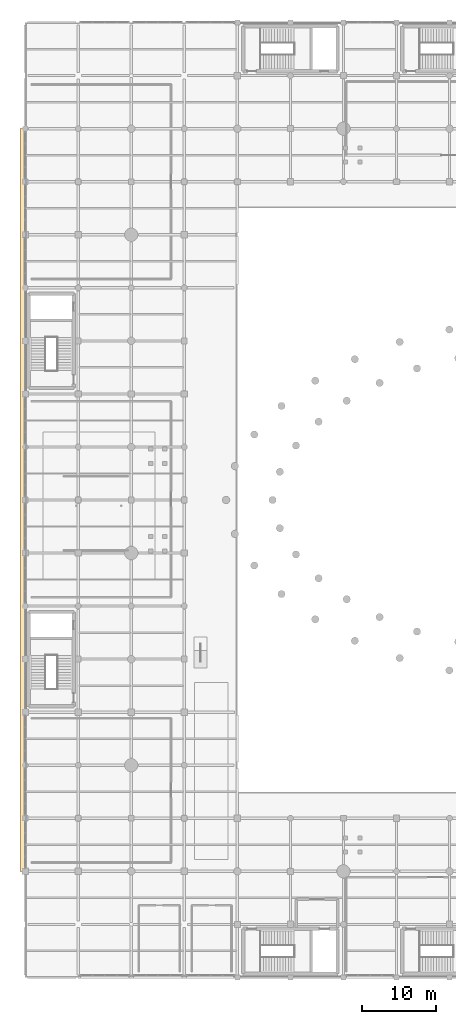
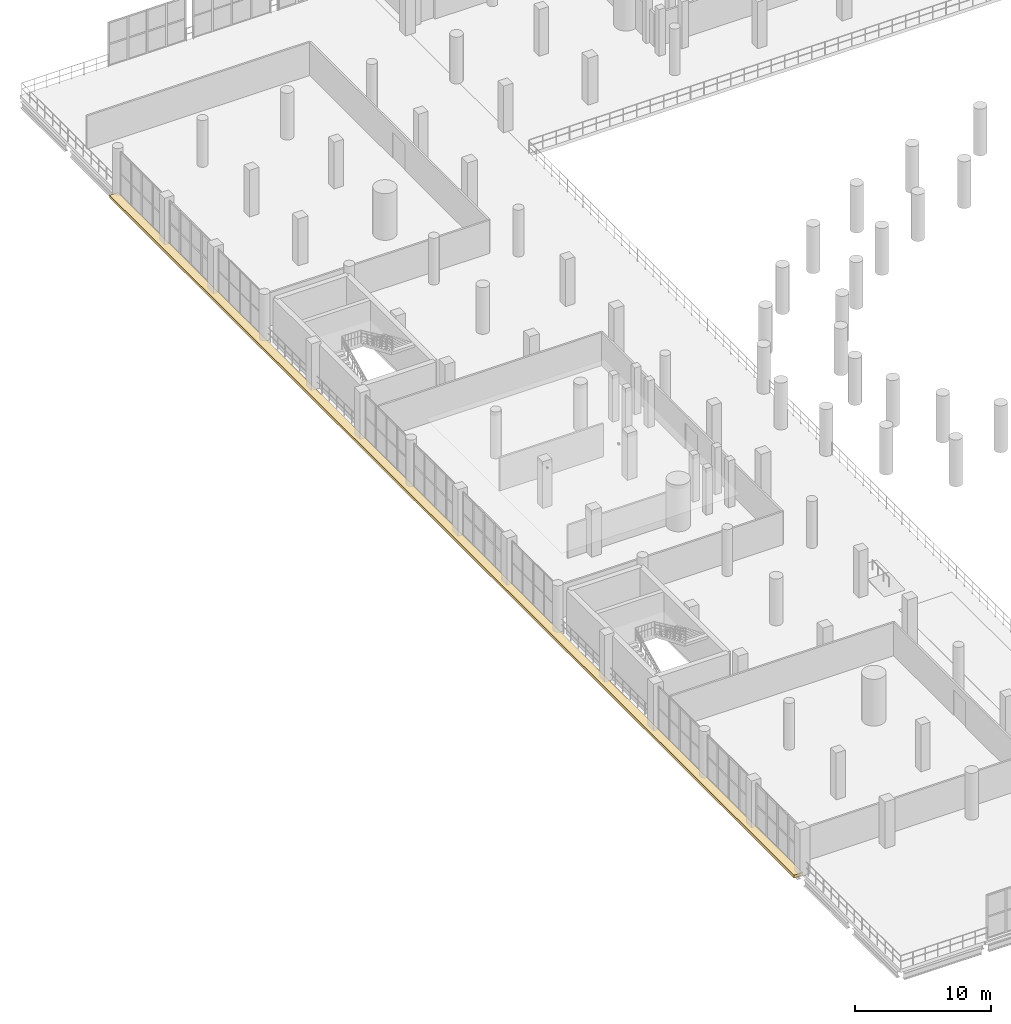
# One storey, part 146 of 153: 1 covering.
"""IFC4 building model written with IfcOpenShell, lengths in metres."""

from ifc_helpers import new_model, si_unit, direction, frame, origin, origin_2d, place, context, subcontext, project, spatial, rectangle, extrude, material, layer, layer_set, type_object, element, save


model = new_model("IFC4")

# Units and contexts
model_context = context("Model", 3, precision=1e-05, world=origin(), true_north=direction((0.0, 1.0)))
body_context = subcontext(model_context, "Body", "Model", "MODEL_VIEW")
ifc_project = project(units=[si_unit("LENGTHUNIT", "METRE"), si_unit("AREAUNIT", "SQUARE_METRE"), si_unit("VOLUMEUNIT", "CUBIC_METRE"), si_unit("PLANEANGLEUNIT", "RADIAN"), si_unit("MASSUNIT", "GRAM", prefix="KILO")], contexts=[model_context])

# Site, building, storey
site_placement = place(None, origin())
site = spatial("IfcSite", under=ifc_project, at=site_placement, CompositionType="ELEMENT")
building_placement = place(site_placement, origin())
building = spatial("IfcBuilding", under=site, at=building_placement, Name="Qandorah Velis Arena", CompositionType="ELEMENT")
storey_placement = place(building_placement, frame((0.0, 0.0, 5.39990234375)))
storey = spatial("IfcBuildingStorey", under=building, at=storey_placement, Name="L01", CompositionType="ELEMENT", Elevation=5.39990234375)

# Covering
ifc_material = material(Name="Precast Riyadh limestone cladding", Category="masonry")
ifc_layer = layer(ifc_material, 0.054931640625)
ifc_layer_set = layer_set([ifc_layer], Name="Precast Riyadh limestone cladding")
covering_type = type_object("IfcCoveringType", Name="ARC-COV-CLAD", PredefinedType="CLADDING", material=ifc_layer_set)
covering_placement = place(storey_placement, frame((-0.340087890625, 64.800048828125, -0.27001953125), z_axis=(0.0, 0.0, 1.0), x_axis=(1.0, 0.0, 0.0)))
element("IfcCovering", 1, at=covering_placement, inside=storey, type_object=covering_type, Name="Sculpted precast solar eyebrow reveal 01", PredefinedType="CLADDING", context=body_context, shape_type="SweptSolid", body=[
    extrude(rectangle(XDim=0.719970703125, YDim=100.800048828125, at=origin_2d()), origin(), (0.0, 0.0, 1.0), 0.260009765625),
])

save(model, "model.ifc")
